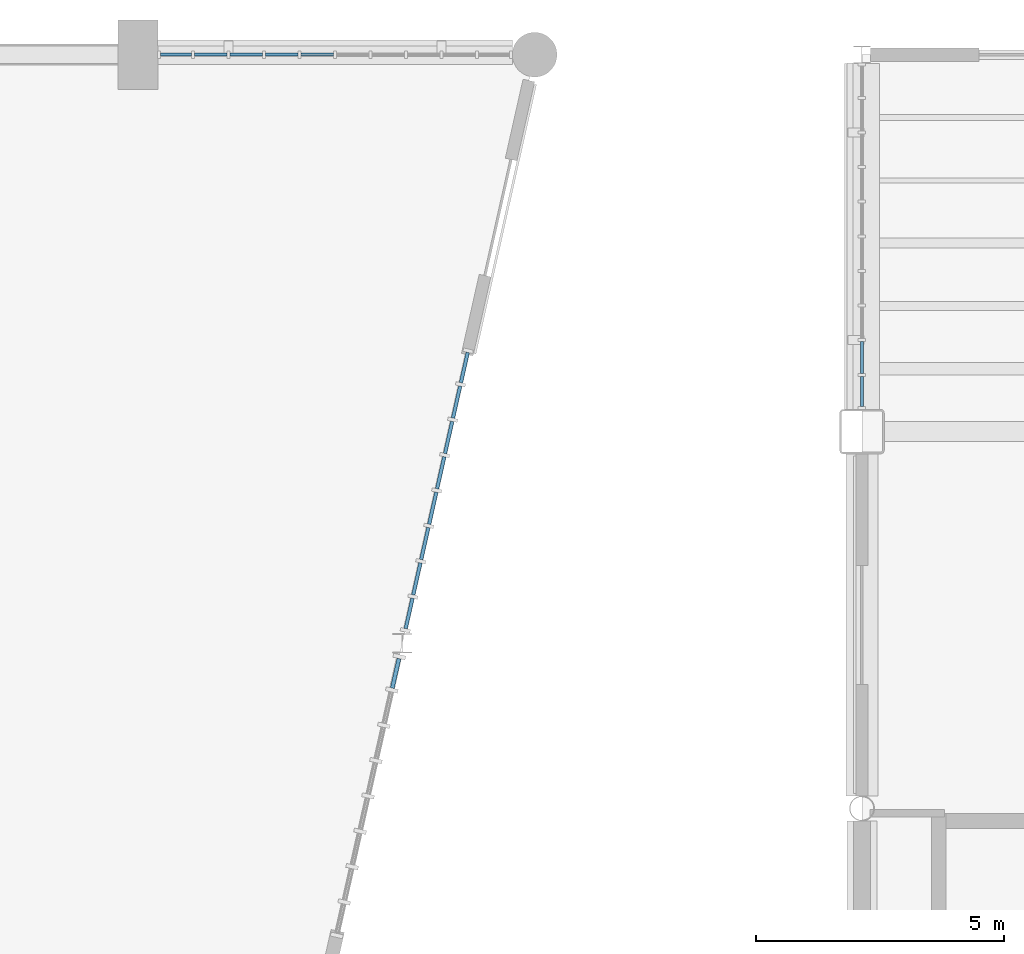
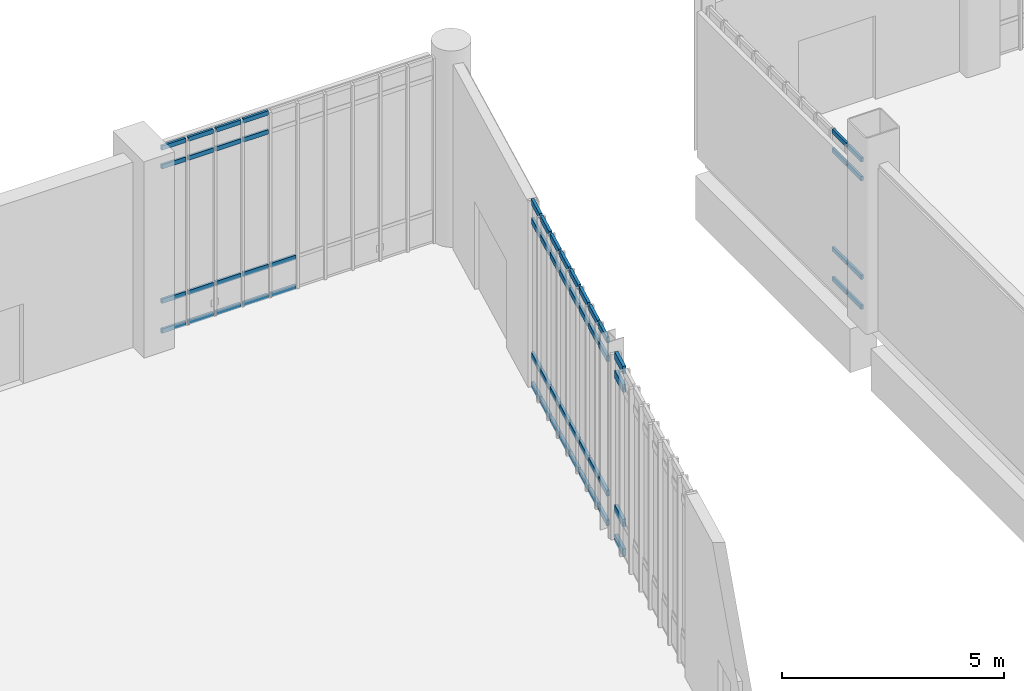
# One storey, part 47 of 111: 62 members, 4 elements without a shape of their own.
"""IFC4 building model written with IfcOpenShell, lengths in metres."""

from ifc_helpers import new_model, si_unit, direction, frame, origin, origin_2d, place, context, subcontext, project, spatial, rectangle, extrude, material, material_profile, profile_set, type_object, element, aggregate, save


model = new_model("IFC4")

# Units and contexts
model_context = context("Model", 3, precision=1e-05, world=origin(), true_north=direction((0.0, 1.0)))
body_context = subcontext(model_context, "Body", "Model", "MODEL_VIEW")
ifc_project = project(units=[si_unit("LENGTHUNIT", "METRE"), si_unit("AREAUNIT", "SQUARE_METRE"), si_unit("VOLUMEUNIT", "CUBIC_METRE"), si_unit("PLANEANGLEUNIT", "RADIAN"), si_unit("MASSUNIT", "GRAM", prefix="KILO")], contexts=[model_context])

# Site, building, storey
site_placement = place(None, origin())
site = spatial("IfcSite", under=ifc_project, at=site_placement, CompositionType="ELEMENT")
building_placement = place(site_placement, origin())
building = spatial("IfcBuilding", under=site, at=building_placement, Name="Larkvane Passage Sports Hall", CompositionType="ELEMENT")
storey_placement = place(building_placement, origin())
storey = spatial("IfcBuildingStorey", under=building, at=storey_placement, Name="L00", CompositionType="ELEMENT", Elevation=0.0)

# Curtain wall, members
ifc_material_1 = material(Name="Thermally broken aluminium and low-E glazing", Category="aluminium")
curtain_wall_type_1 = type_object("IfcCurtainWallType", Name="CW-UNIT-COURT", PredefinedType="USERDEFINED", material=ifc_material_1)
curtain_wall_1_placement = place(storey_placement, origin())
curtain_wall_1 = element("IfcCurtainWall", 1, at=curtain_wall_1_placement, inside=storey, type_object=curtain_wall_type_1, Name="Curtain wall CW5-L00-012", ObjectType="UNITISED CURTAIN WALL", PredefinedType="USERDEFINED")
ifc_material_2 = material(Name="Anodised aluminium 6063-T6", Category="aluminium")
ifc_material_profile_1 = material_profile(ifc_material_2, rectangle(XDim=0.06005859375, YDim=0.1201171875, at=origin_2d()), Name="ALU-TRN-60x120")
ifc_profile_set_1 = profile_set([ifc_material_profile_1], Name="Anodised aluminium 6063-T6")
member_type_1 = type_object("IfcMemberType", Name="CW-TRN-60x120", PredefinedType="USERDEFINED", material=ifc_profile_set_1)
member_1_placement = place(storey_placement, frame((110.4560546875, 99.199951171875, 0.030029296875), z_axis=(1.0, 0.0, 0.0), x_axis=(0.0, 1.0, 0.0)))
member_1 = element("IfcMember", 2, at=member_1_placement, type_object=member_type_1, Name="CW-01 transom 1.1", ObjectType="TRANSOM", PredefinedType="USERDEFINED", context=body_context, shape_type="SweptSolid", body=[
    extrude(rectangle(XDim=0.06005859375, YDim=0.1201171875, at=origin_2d()), origin(), (0.0, 0.0, 1.0), 0.625732421875),
])
member_2_placement = place(storey_placement, frame((110.4560546875, 99.199951171875, 0.85009765625), z_axis=(1.0, 0.0, 0.0), x_axis=(0.0, 1.0, 0.0)))
member_2 = element("IfcMember", 3, at=member_2_placement, type_object=member_type_1, Name="CW-01 transom 1.2", ObjectType="TRANSOM", PredefinedType="USERDEFINED", context=body_context, shape_type="SweptSolid", body=[
    extrude(rectangle(XDim=0.06005859375, YDim=0.1201171875, at=origin_2d()), origin(), (0.0, 0.0, 1.0), 0.625732421875),
])
member_3_placement = place(storey_placement, frame((110.4560546875, 99.199951171875, 4.550048828125), z_axis=(1.0, 0.0, 0.0), x_axis=(0.0, 1.0, 0.0)))
member_3 = element("IfcMember", 4, at=member_3_placement, type_object=member_type_1, Name="CW-01 transom 1.3", ObjectType="TRANSOM", PredefinedType="USERDEFINED", context=body_context, shape_type="SweptSolid", body=[
    extrude(rectangle(XDim=0.06005859375, YDim=0.1201171875, at=origin_2d()), origin(), (0.0, 0.0, 1.0), 0.625732421875),
])
member_4_placement = place(storey_placement, frame((110.4560546875, 99.199951171875, 5.070068359375), z_axis=(1.0, 0.0, 0.0), x_axis=(0.0, 1.0, 0.0)))
member_4 = element("IfcMember", 5, at=member_4_placement, type_object=member_type_1, Name="CW-01 transom 1.4", ObjectType="TRANSOM", PredefinedType="USERDEFINED", context=body_context, shape_type="SweptSolid", body=[
    extrude(rectangle(XDim=0.06005859375, YDim=0.1201171875, at=origin_2d()), origin(), (0.0, 0.0, 1.0), 0.625732421875),
])
member_5_placement = place(storey_placement, frame((111.141845703125, 99.199951171875, 0.030029296875), z_axis=(1.0, 0.0, 0.0), x_axis=(0.0, 1.0, 0.0)))
member_5 = element("IfcMember", 6, at=member_5_placement, type_object=member_type_1, Name="CW-01 transom 2.1", ObjectType="TRANSOM", PredefinedType="USERDEFINED", context=body_context, shape_type="SweptSolid", body=[
    extrude(rectangle(XDim=0.06005859375, YDim=0.1201171875, at=origin_2d()), origin(), (0.0, 0.0, 1.0), 0.65576171875),
])
member_6_placement = place(storey_placement, frame((111.141845703125, 99.199951171875, 0.85009765625), z_axis=(1.0, 0.0, 0.0), x_axis=(0.0, 1.0, 0.0)))
member_6 = element("IfcMember", 7, at=member_6_placement, type_object=member_type_1, Name="CW-01 transom 2.2", ObjectType="TRANSOM", PredefinedType="USERDEFINED", context=body_context, shape_type="SweptSolid", body=[
    extrude(rectangle(XDim=0.06005859375, YDim=0.1201171875, at=origin_2d()), origin(), (0.0, 0.0, 1.0), 0.65576171875),
])
member_7_placement = place(storey_placement, frame((111.141845703125, 99.199951171875, 4.550048828125), z_axis=(1.0, 0.0, 0.0), x_axis=(0.0, 1.0, 0.0)))
member_7 = element("IfcMember", 8, at=member_7_placement, type_object=member_type_1, Name="CW-01 transom 2.3", ObjectType="TRANSOM", PredefinedType="USERDEFINED", context=body_context, shape_type="SweptSolid", body=[
    extrude(rectangle(XDim=0.06005859375, YDim=0.1201171875, at=origin_2d()), origin(), (0.0, 0.0, 1.0), 0.65576171875),
])
member_8_placement = place(storey_placement, frame((111.141845703125, 99.199951171875, 5.070068359375), z_axis=(1.0, 0.0, 0.0), x_axis=(0.0, 1.0, 0.0)))
member_8 = element("IfcMember", 9, at=member_8_placement, type_object=member_type_1, Name="CW-01 transom 2.4", ObjectType="TRANSOM", PredefinedType="USERDEFINED", context=body_context, shape_type="SweptSolid", body=[
    extrude(rectangle(XDim=0.06005859375, YDim=0.1201171875, at=origin_2d()), origin(), (0.0, 0.0, 1.0), 0.65576171875),
])
member_9_placement = place(storey_placement, frame((111.857666015625, 99.199951171875, 0.030029296875), z_axis=(1.0, 0.0, 0.0), x_axis=(0.0, 1.0, 0.0)))
member_9 = element("IfcMember", 10, at=member_9_placement, type_object=member_type_1, Name="CW-01 transom 3.1", ObjectType="TRANSOM", PredefinedType="USERDEFINED", context=body_context, shape_type="SweptSolid", body=[
    extrude(rectangle(XDim=0.06005859375, YDim=0.1201171875, at=origin_2d()), origin(), (0.0, 0.0, 1.0), 0.65576171875),
])
member_10_placement = place(storey_placement, frame((111.857666015625, 99.199951171875, 0.85009765625), z_axis=(1.0, 0.0, 0.0), x_axis=(0.0, 1.0, 0.0)))
member_10 = element("IfcMember", 11, at=member_10_placement, type_object=member_type_1, Name="CW-01 transom 3.2", ObjectType="TRANSOM", PredefinedType="USERDEFINED", context=body_context, shape_type="SweptSolid", body=[
    extrude(rectangle(XDim=0.06005859375, YDim=0.1201171875, at=origin_2d()), origin(), (0.0, 0.0, 1.0), 0.65576171875),
])
member_11_placement = place(storey_placement, frame((111.857666015625, 99.199951171875, 4.550048828125), z_axis=(1.0, 0.0, 0.0), x_axis=(0.0, 1.0, 0.0)))
member_11 = element("IfcMember", 12, at=member_11_placement, type_object=member_type_1, Name="CW-01 transom 3.3", ObjectType="TRANSOM", PredefinedType="USERDEFINED", context=body_context, shape_type="SweptSolid", body=[
    extrude(rectangle(XDim=0.06005859375, YDim=0.1201171875, at=origin_2d()), origin(), (0.0, 0.0, 1.0), 0.65576171875),
])
member_12_placement = place(storey_placement, frame((111.857666015625, 99.199951171875, 5.070068359375), z_axis=(1.0, 0.0, 0.0), x_axis=(0.0, 1.0, 0.0)))
member_12 = element("IfcMember", 13, at=member_12_placement, type_object=member_type_1, Name="CW-01 transom 3.4", ObjectType="TRANSOM", PredefinedType="USERDEFINED", context=body_context, shape_type="SweptSolid", body=[
    extrude(rectangle(XDim=0.06005859375, YDim=0.1201171875, at=origin_2d()), origin(), (0.0, 0.0, 1.0), 0.65576171875),
])
member_13_placement = place(storey_placement, frame((112.573486328125, 99.199951171875, 0.030029296875), z_axis=(1.0, 0.0, 0.0), x_axis=(0.0, 1.0, 0.0)))
member_13 = element("IfcMember", 14, at=member_13_placement, type_object=member_type_1, Name="CW-01 transom 4.1", ObjectType="TRANSOM", PredefinedType="USERDEFINED", context=body_context, shape_type="SweptSolid", body=[
    extrude(rectangle(XDim=0.06005859375, YDim=0.1201171875, at=origin_2d()), origin(), (0.0, 0.0, 1.0), 0.65576171875),
])
member_14_placement = place(storey_placement, frame((112.573486328125, 99.199951171875, 0.85009765625), z_axis=(1.0, 0.0, 0.0), x_axis=(0.0, 1.0, 0.0)))
member_14 = element("IfcMember", 15, at=member_14_placement, type_object=member_type_1, Name="CW-01 transom 4.2", ObjectType="TRANSOM", PredefinedType="USERDEFINED", context=body_context, shape_type="SweptSolid", body=[
    extrude(rectangle(XDim=0.06005859375, YDim=0.1201171875, at=origin_2d()), origin(), (0.0, 0.0, 1.0), 0.65576171875),
])
member_15_placement = place(storey_placement, frame((112.573486328125, 99.199951171875, 4.550048828125), z_axis=(1.0, 0.0, 0.0), x_axis=(0.0, 1.0, 0.0)))
member_15 = element("IfcMember", 16, at=member_15_placement, type_object=member_type_1, Name="CW-01 transom 4.3", ObjectType="TRANSOM", PredefinedType="USERDEFINED", context=body_context, shape_type="SweptSolid", body=[
    extrude(rectangle(XDim=0.06005859375, YDim=0.1201171875, at=origin_2d()), origin(), (0.0, 0.0, 1.0), 0.65576171875),
])
member_16_placement = place(storey_placement, frame((112.573486328125, 99.199951171875, 5.070068359375), z_axis=(1.0, 0.0, 0.0), x_axis=(0.0, 1.0, 0.0)))
member_16 = element("IfcMember", 17, at=member_16_placement, type_object=member_type_1, Name="CW-01 transom 4.4", ObjectType="TRANSOM", PredefinedType="USERDEFINED", context=body_context, shape_type="SweptSolid", body=[
    extrude(rectangle(XDim=0.06005859375, YDim=0.1201171875, at=origin_2d()), origin(), (0.0, 0.0, 1.0), 0.65576171875),
])
member_17_placement = place(storey_placement, frame((113.289306640625, 99.199951171875, 0.030029296875), z_axis=(1.0, 0.0, 0.0), x_axis=(0.0, 1.0, 0.0)))
member_17 = element("IfcMember", 18, at=member_17_placement, type_object=member_type_1, Name="CW-01 transom 5.1", ObjectType="TRANSOM", PredefinedType="USERDEFINED", context=body_context, shape_type="SweptSolid", body=[
    extrude(rectangle(XDim=0.06005859375, YDim=0.1201171875, at=origin_2d()), origin(), (0.0, 0.0, 1.0), 0.65576171875),
])
member_18_placement = place(storey_placement, frame((113.289306640625, 99.199951171875, 0.85009765625), z_axis=(1.0, 0.0, 0.0), x_axis=(0.0, 1.0, 0.0)))
member_18 = element("IfcMember", 19, at=member_18_placement, type_object=member_type_1, Name="CW-01 transom 5.2", ObjectType="TRANSOM", PredefinedType="USERDEFINED", context=body_context, shape_type="SweptSolid", body=[
    extrude(rectangle(XDim=0.06005859375, YDim=0.1201171875, at=origin_2d()), origin(), (0.0, 0.0, 1.0), 0.65576171875),
])
aggregate(curtain_wall_1, [member_1, member_2, member_3, member_4, member_5, member_6, member_7, member_8, member_9, member_10, member_11, member_12, member_13, member_14, member_15, member_16, member_17, member_18])

curtain_wall_2_placement = place(storey_placement, origin())
curtain_wall_2 = element("IfcCurtainWall", 20, at=curtain_wall_2_placement, inside=storey, type_object=curtain_wall_type_1, Name="Curtain wall CW5-L00-020", ObjectType="UNITISED CURTAIN WALL", PredefinedType="USERDEFINED")
member_19_placement = place(storey_placement, frame((124.60009765625, 92.10595703125, 0.030029296875), z_axis=(0.0, 1.0, 0.0), x_axis=(-1.0, 0.0, 0.0)))
member_19 = element("IfcMember", 21, at=member_19_placement, type_object=member_type_1, Name="CW-01 transom 1.1", ObjectType="TRANSOM", PredefinedType="USERDEFINED", context=body_context, shape_type="SweptSolid", body=[
    extrude(rectangle(XDim=0.06005859375, YDim=0.1201171875, at=origin_2d()), origin(), (0.0, 0.0, 1.0), 0.6083984375),
])
member_20_placement = place(storey_placement, frame((124.60009765625, 92.10595703125, 0.85009765625), z_axis=(0.0, 1.0, 0.0), x_axis=(-1.0, 0.0, 0.0)))
member_20 = element("IfcMember", 22, at=member_20_placement, type_object=member_type_1, Name="CW-01 transom 1.2", ObjectType="TRANSOM", PredefinedType="USERDEFINED", context=body_context, shape_type="SweptSolid", body=[
    extrude(rectangle(XDim=0.06005859375, YDim=0.1201171875, at=origin_2d()), origin(), (0.0, 0.0, 1.0), 0.6083984375),
])
member_21_placement = place(storey_placement, frame((124.60009765625, 92.10595703125, 3.568115234375), z_axis=(0.0, 1.0, 0.0), x_axis=(-1.0, 0.0, 0.0)))
member_21 = element("IfcMember", 23, at=member_21_placement, type_object=member_type_1, Name="CW-01 transom 1.3", ObjectType="TRANSOM", PredefinedType="USERDEFINED", context=body_context, shape_type="SweptSolid", body=[
    extrude(rectangle(XDim=0.06005859375, YDim=0.1201171875, at=origin_2d()), origin(), (0.0, 0.0, 1.0), 0.6083984375),
])
member_22_placement = place(storey_placement, frame((124.60009765625, 92.10595703125, 4.087890625), z_axis=(0.0, 1.0, 0.0), x_axis=(-1.0, 0.0, 0.0)))
member_22 = element("IfcMember", 24, at=member_22_placement, type_object=member_type_1, Name="CW-01 transom 1.4", ObjectType="TRANSOM", PredefinedType="USERDEFINED", context=body_context, shape_type="SweptSolid", body=[
    extrude(rectangle(XDim=0.06005859375, YDim=0.1201171875, at=origin_2d()), origin(), (0.0, 0.0, 1.0), 0.6083984375),
])
member_23_placement = place(storey_placement, frame((124.60009765625, 92.7744140625, 0.030029296875), z_axis=(0.0, 1.0, 0.0), x_axis=(-1.0, 0.0, 0.0)))
member_23 = element("IfcMember", 25, at=member_23_placement, type_object=member_type_1, Name="CW-01 transom 2.1", ObjectType="TRANSOM", PredefinedType="USERDEFINED", context=body_context, shape_type="SweptSolid", body=[
    extrude(rectangle(XDim=0.06005859375, YDim=0.1201171875, at=origin_2d()), origin(), (0.0, 0.0, 1.0), 0.63818359375),
])
member_24_placement = place(storey_placement, frame((124.60009765625, 92.7744140625, 0.85009765625), z_axis=(0.0, 1.0, 0.0), x_axis=(-1.0, 0.0, 0.0)))
member_24 = element("IfcMember", 26, at=member_24_placement, type_object=member_type_1, Name="CW-01 transom 2.2", ObjectType="TRANSOM", PredefinedType="USERDEFINED", context=body_context, shape_type="SweptSolid", body=[
    extrude(rectangle(XDim=0.06005859375, YDim=0.1201171875, at=origin_2d()), origin(), (0.0, 0.0, 1.0), 0.63818359375),
])
member_25_placement = place(storey_placement, frame((124.60009765625, 92.7744140625, 3.568115234375), z_axis=(0.0, 1.0, 0.0), x_axis=(-1.0, 0.0, 0.0)))
member_25 = element("IfcMember", 27, at=member_25_placement, type_object=member_type_1, Name="CW-01 transom 2.3", ObjectType="TRANSOM", PredefinedType="USERDEFINED", context=body_context, shape_type="SweptSolid", body=[
    extrude(rectangle(XDim=0.06005859375, YDim=0.1201171875, at=origin_2d()), origin(), (0.0, 0.0, 1.0), 0.63818359375),
])
member_26_placement = place(storey_placement, frame((124.60009765625, 92.7744140625, 4.087890625), z_axis=(0.0, 1.0, 0.0), x_axis=(-1.0, 0.0, 0.0)))
member_26 = element("IfcMember", 28, at=member_26_placement, type_object=member_type_1, Name="CW-01 transom 2.4", ObjectType="TRANSOM", PredefinedType="USERDEFINED", context=body_context, shape_type="SweptSolid", body=[
    extrude(rectangle(XDim=0.06005859375, YDim=0.1201171875, at=origin_2d()), origin(), (0.0, 0.0, 1.0), 0.63818359375),
])
aggregate(curtain_wall_2, [member_19, member_20, member_21, member_22, member_23, member_24, member_25, member_26])

curtain_wall_type_2 = type_object("IfcCurtainWallType", Name="CW-UNIT-VEIL", PredefinedType="USERDEFINED", material=ifc_material_1)
curtain_wall_3_placement = place(storey_placement, origin())
curtain_wall_3 = element("IfcCurtainWall", 29, at=curtain_wall_3_placement, inside=storey, type_object=curtain_wall_type_2, Name="Curtain wall CW5-L00-013", ObjectType="UNITISED CURTAIN WALL", PredefinedType="USERDEFINED")
ifc_material_profile_2 = material_profile(ifc_material_2, rectangle(XDim=0.070068359375, YDim=0.159912109375, at=origin_2d()), Name="ALU-TRN-70x160")
ifc_profile_set_2 = profile_set([ifc_material_profile_2], Name="Anodised aluminium 6063-T6")
member_type_2 = type_object("IfcMemberType", Name="CW-TRN-70x160", PredefinedType="USERDEFINED", material=ifc_profile_set_2)
member_27_placement = place(storey_placement, frame((116.65087890625, 93.1962890625, 0.034912109375), z_axis=(-0.219242983908, -0.975670289599, 0.0), x_axis=(0.975670289599, -0.219242983908, 0.0)))
member_27 = element("IfcMember", 30, at=member_27_placement, type_object=member_type_2, Name="CW-02 transom 1.1", ObjectType="TRANSOM", PredefinedType="USERDEFINED", context=body_context, shape_type="SweptSolid", body=[
    extrude(rectangle(XDim=0.070068359375, YDim=0.159912109375, at=origin_2d()), origin(), (0.0, 0.0, 1.0), 0.625732421875),
])
member_28_placement = place(storey_placement, frame((116.65087890625, 93.1962890625, 0.85009765625), z_axis=(-0.219242983908, -0.975670289599, 0.0), x_axis=(0.975670289599, -0.219242983908, 0.0)))
member_28 = element("IfcMember", 31, at=member_28_placement, type_object=member_type_2, Name="CW-02 transom 1.2", ObjectType="TRANSOM", PredefinedType="USERDEFINED", context=body_context, shape_type="SweptSolid", body=[
    extrude(rectangle(XDim=0.070068359375, YDim=0.159912109375, at=origin_2d()), origin(), (0.0, 0.0, 1.0), 0.625732421875),
])
member_29_placement = place(storey_placement, frame((116.65087890625, 93.1962890625, 4.550048828125), z_axis=(-0.219242983908, -0.975670289599, 0.0), x_axis=(0.975670289599, -0.219242983908, 0.0)))
member_29 = element("IfcMember", 32, at=member_29_placement, type_object=member_type_2, Name="CW-02 transom 1.3", ObjectType="TRANSOM", PredefinedType="USERDEFINED", context=body_context, shape_type="SweptSolid", body=[
    extrude(rectangle(XDim=0.070068359375, YDim=0.159912109375, at=origin_2d()), origin(), (0.0, 0.0, 1.0), 0.625732421875),
])
member_30_placement = place(storey_placement, frame((116.65087890625, 93.1962890625, 5.06494140625), z_axis=(-0.219242983908, -0.975670289599, 0.0), x_axis=(0.975670289599, -0.219242983908, 0.0)))
member_30 = element("IfcMember", 33, at=member_30_placement, type_object=member_type_2, Name="CW-02 transom 1.4", ObjectType="TRANSOM", PredefinedType="USERDEFINED", context=body_context, shape_type="SweptSolid", body=[
    extrude(rectangle(XDim=0.070068359375, YDim=0.159912109375, at=origin_2d()), origin(), (0.0, 0.0, 1.0), 0.625732421875),
])
member_31_placement = place(storey_placement, frame((116.498291015625, 92.517333984375, 0.034912109375), z_axis=(-0.219354022301, -0.975645331512, 0.0), x_axis=(0.975645331512, -0.219354022301, 0.0)))
member_31 = element("IfcMember", 34, at=member_31_placement, type_object=member_type_2, Name="CW-02 transom 2.1", ObjectType="TRANSOM", PredefinedType="USERDEFINED", context=body_context, shape_type="SweptSolid", body=[
    extrude(rectangle(XDim=0.070068359375, YDim=0.159912109375, at=origin_2d()), origin(), (0.0, 0.0, 1.0), 0.6611328125),
])
member_32_placement = place(storey_placement, frame((116.498291015625, 92.517333984375, 0.85009765625), z_axis=(-0.219354022301, -0.975645331512, 0.0), x_axis=(0.975645331512, -0.219354022301, 0.0)))
member_32 = element("IfcMember", 35, at=member_32_placement, type_object=member_type_2, Name="CW-02 transom 2.2", ObjectType="TRANSOM", PredefinedType="USERDEFINED", context=body_context, shape_type="SweptSolid", body=[
    extrude(rectangle(XDim=0.070068359375, YDim=0.159912109375, at=origin_2d()), origin(), (0.0, 0.0, 1.0), 0.6611328125),
])
member_33_placement = place(storey_placement, frame((116.498291015625, 92.517333984375, 4.550048828125), z_axis=(-0.219354022301, -0.975645331512, 0.0), x_axis=(0.975645331512, -0.219354022301, 0.0)))
member_33 = element("IfcMember", 36, at=member_33_placement, type_object=member_type_2, Name="CW-02 transom 2.3", ObjectType="TRANSOM", PredefinedType="USERDEFINED", context=body_context, shape_type="SweptSolid", body=[
    extrude(rectangle(XDim=0.070068359375, YDim=0.159912109375, at=origin_2d()), origin(), (0.0, 0.0, 1.0), 0.6611328125),
])
member_34_placement = place(storey_placement, frame((116.498291015625, 92.517333984375, 5.06494140625), z_axis=(-0.219354022301, -0.975645331512, 0.0), x_axis=(0.975645331512, -0.219354022301, 0.0)))
member_34 = element("IfcMember", 37, at=member_34_placement, type_object=member_type_2, Name="CW-02 transom 2.4", ObjectType="TRANSOM", PredefinedType="USERDEFINED", context=body_context, shape_type="SweptSolid", body=[
    extrude(rectangle(XDim=0.070068359375, YDim=0.159912109375, at=origin_2d()), origin(), (0.0, 0.0, 1.0), 0.6611328125),
])
member_35_placement = place(storey_placement, frame((116.337890625, 91.803955078125, 0.034912109375), z_axis=(-0.219081409932, -0.975706582853, 0.0), x_axis=(0.975706582853, -0.219081409932, 0.0)))
member_35 = element("IfcMember", 38, at=member_35_placement, type_object=member_type_2, Name="CW-02 transom 3.1", ObjectType="TRANSOM", PredefinedType="USERDEFINED", context=body_context, shape_type="SweptSolid", body=[
    extrude(rectangle(XDim=0.070068359375, YDim=0.159912109375, at=origin_2d()), origin(), (0.0, 0.0, 1.0), 0.660888671875),
])
member_36_placement = place(storey_placement, frame((116.337890625, 91.803955078125, 0.85009765625), z_axis=(-0.219081409932, -0.975706582853, 0.0), x_axis=(0.975706582853, -0.219081409932, 0.0)))
member_36 = element("IfcMember", 39, at=member_36_placement, type_object=member_type_2, Name="CW-02 transom 3.2", ObjectType="TRANSOM", PredefinedType="USERDEFINED", context=body_context, shape_type="SweptSolid", body=[
    extrude(rectangle(XDim=0.070068359375, YDim=0.159912109375, at=origin_2d()), origin(), (0.0, 0.0, 1.0), 0.660888671875),
])
member_37_placement = place(storey_placement, frame((116.337890625, 91.803955078125, 4.550048828125), z_axis=(-0.219081409932, -0.975706582853, 0.0), x_axis=(0.975706582853, -0.219081409932, 0.0)))
member_37 = element("IfcMember", 40, at=member_37_placement, type_object=member_type_2, Name="CW-02 transom 3.3", ObjectType="TRANSOM", PredefinedType="USERDEFINED", context=body_context, shape_type="SweptSolid", body=[
    extrude(rectangle(XDim=0.070068359375, YDim=0.159912109375, at=origin_2d()), origin(), (0.0, 0.0, 1.0), 0.660888671875),
])
member_38_placement = place(storey_placement, frame((116.337890625, 91.803955078125, 5.06494140625), z_axis=(-0.219081409932, -0.975706582853, 0.0), x_axis=(0.975706582853, -0.219081409932, 0.0)))
member_38 = element("IfcMember", 41, at=member_38_placement, type_object=member_type_2, Name="CW-02 transom 3.4", ObjectType="TRANSOM", PredefinedType="USERDEFINED", context=body_context, shape_type="SweptSolid", body=[
    extrude(rectangle(XDim=0.070068359375, YDim=0.159912109375, at=origin_2d()), origin(), (0.0, 0.0, 1.0), 0.660888671875),
])
member_39_placement = place(storey_placement, frame((116.177734375, 91.0908203125, 0.034912109375), z_axis=(-0.219354022301, -0.975645331512, 0.0), x_axis=(0.975645331512, -0.219354022301, 0.0)))
member_39 = element("IfcMember", 42, at=member_39_placement, type_object=member_type_2, Name="CW-02 transom 4.1", ObjectType="TRANSOM", PredefinedType="USERDEFINED", context=body_context, shape_type="SweptSolid", body=[
    extrude(rectangle(XDim=0.070068359375, YDim=0.159912109375, at=origin_2d()), origin(), (0.0, 0.0, 1.0), 0.6611328125),
])
member_40_placement = place(storey_placement, frame((116.177734375, 91.0908203125, 0.85009765625), z_axis=(-0.219354022301, -0.975645331512, 0.0), x_axis=(0.975645331512, -0.219354022301, 0.0)))
member_40 = element("IfcMember", 43, at=member_40_placement, type_object=member_type_2, Name="CW-02 transom 4.2", ObjectType="TRANSOM", PredefinedType="USERDEFINED", context=body_context, shape_type="SweptSolid", body=[
    extrude(rectangle(XDim=0.070068359375, YDim=0.159912109375, at=origin_2d()), origin(), (0.0, 0.0, 1.0), 0.6611328125),
])
member_41_placement = place(storey_placement, frame((116.177734375, 91.0908203125, 4.550048828125), z_axis=(-0.219354022301, -0.975645331512, 0.0), x_axis=(0.975645331512, -0.219354022301, 0.0)))
member_41 = element("IfcMember", 44, at=member_41_placement, type_object=member_type_2, Name="CW-02 transom 4.3", ObjectType="TRANSOM", PredefinedType="USERDEFINED", context=body_context, shape_type="SweptSolid", body=[
    extrude(rectangle(XDim=0.070068359375, YDim=0.159912109375, at=origin_2d()), origin(), (0.0, 0.0, 1.0), 0.6611328125),
])
member_42_placement = place(storey_placement, frame((116.177734375, 91.0908203125, 5.06494140625), z_axis=(-0.219354022301, -0.975645331512, 0.0), x_axis=(0.975645331512, -0.219354022301, 0.0)))
member_42 = element("IfcMember", 45, at=member_42_placement, type_object=member_type_2, Name="CW-02 transom 4.4", ObjectType="TRANSOM", PredefinedType="USERDEFINED", context=body_context, shape_type="SweptSolid", body=[
    extrude(rectangle(XDim=0.070068359375, YDim=0.159912109375, at=origin_2d()), origin(), (0.0, 0.0, 1.0), 0.6611328125),
])
member_43_placement = place(storey_placement, frame((116.017333984375, 90.37744140625, 0.034912109375), z_axis=(-0.219081409932, -0.975706582853, 0.0), x_axis=(0.975706582853, -0.219081409932, 0.0)))
member_43 = element("IfcMember", 46, at=member_43_placement, type_object=member_type_2, Name="CW-02 transom 5.1", ObjectType="TRANSOM", PredefinedType="USERDEFINED", context=body_context, shape_type="SweptSolid", body=[
    extrude(rectangle(XDim=0.070068359375, YDim=0.159912109375, at=origin_2d()), origin(), (0.0, 0.0, 1.0), 0.660888671875),
])
member_44_placement = place(storey_placement, frame((116.017333984375, 90.37744140625, 0.85009765625), z_axis=(-0.219081409932, -0.975706582853, 0.0), x_axis=(0.975706582853, -0.219081409932, 0.0)))
member_44 = element("IfcMember", 47, at=member_44_placement, type_object=member_type_2, Name="CW-02 transom 5.2", ObjectType="TRANSOM", PredefinedType="USERDEFINED", context=body_context, shape_type="SweptSolid", body=[
    extrude(rectangle(XDim=0.070068359375, YDim=0.159912109375, at=origin_2d()), origin(), (0.0, 0.0, 1.0), 0.660888671875),
])
member_45_placement = place(storey_placement, frame((116.017333984375, 90.37744140625, 4.550048828125), z_axis=(-0.219081409932, -0.975706582853, 0.0), x_axis=(0.975706582853, -0.219081409932, 0.0)))
member_45 = element("IfcMember", 48, at=member_45_placement, type_object=member_type_2, Name="CW-02 transom 5.3", ObjectType="TRANSOM", PredefinedType="USERDEFINED", context=body_context, shape_type="SweptSolid", body=[
    extrude(rectangle(XDim=0.070068359375, YDim=0.159912109375, at=origin_2d()), origin(), (0.0, 0.0, 1.0), 0.660888671875),
])
member_46_placement = place(storey_placement, frame((116.017333984375, 90.37744140625, 5.06494140625), z_axis=(-0.219081409932, -0.975706582853, 0.0), x_axis=(0.975706582853, -0.219081409932, 0.0)))
member_46 = element("IfcMember", 49, at=member_46_placement, type_object=member_type_2, Name="CW-02 transom 5.4", ObjectType="TRANSOM", PredefinedType="USERDEFINED", context=body_context, shape_type="SweptSolid", body=[
    extrude(rectangle(XDim=0.070068359375, YDim=0.159912109375, at=origin_2d()), origin(), (0.0, 0.0, 1.0), 0.660888671875),
])
member_47_placement = place(storey_placement, frame((115.857177734375, 89.664306640625, 0.034912109375), z_axis=(-0.219354022301, -0.975645331512, 0.0), x_axis=(0.975645331512, -0.219354022301, 0.0)))
member_47 = element("IfcMember", 50, at=member_47_placement, type_object=member_type_2, Name="CW-02 transom 6.1", ObjectType="TRANSOM", PredefinedType="USERDEFINED", context=body_context, shape_type="SweptSolid", body=[
    extrude(rectangle(XDim=0.070068359375, YDim=0.159912109375, at=origin_2d()), origin(), (0.0, 0.0, 1.0), 0.6611328125),
])
member_48_placement = place(storey_placement, frame((115.857177734375, 89.664306640625, 0.85009765625), z_axis=(-0.219354022301, -0.975645331512, 0.0), x_axis=(0.975645331512, -0.219354022301, 0.0)))
member_48 = element("IfcMember", 51, at=member_48_placement, type_object=member_type_2, Name="CW-02 transom 6.2", ObjectType="TRANSOM", PredefinedType="USERDEFINED", context=body_context, shape_type="SweptSolid", body=[
    extrude(rectangle(XDim=0.070068359375, YDim=0.159912109375, at=origin_2d()), origin(), (0.0, 0.0, 1.0), 0.6611328125),
])
member_49_placement = place(storey_placement, frame((115.857177734375, 89.664306640625, 4.550048828125), z_axis=(-0.219354022301, -0.975645331512, 0.0), x_axis=(0.975645331512, -0.219354022301, 0.0)))
member_49 = element("IfcMember", 52, at=member_49_placement, type_object=member_type_2, Name="CW-02 transom 6.3", ObjectType="TRANSOM", PredefinedType="USERDEFINED", context=body_context, shape_type="SweptSolid", body=[
    extrude(rectangle(XDim=0.070068359375, YDim=0.159912109375, at=origin_2d()), origin(), (0.0, 0.0, 1.0), 0.6611328125),
])
member_50_placement = place(storey_placement, frame((115.857177734375, 89.664306640625, 5.06494140625), z_axis=(-0.219354022301, -0.975645331512, 0.0), x_axis=(0.975645331512, -0.219354022301, 0.0)))
member_50 = element("IfcMember", 53, at=member_50_placement, type_object=member_type_2, Name="CW-02 transom 6.4", ObjectType="TRANSOM", PredefinedType="USERDEFINED", context=body_context, shape_type="SweptSolid", body=[
    extrude(rectangle(XDim=0.070068359375, YDim=0.159912109375, at=origin_2d()), origin(), (0.0, 0.0, 1.0), 0.6611328125),
])
member_51_placement = place(storey_placement, frame((115.69677734375, 88.951171875, 0.034912109375), z_axis=(-0.219002465225, -0.975724305439, 0.0), x_axis=(0.975724305439, -0.219002465225, 0.0)))
member_51 = element("IfcMember", 54, at=member_51_placement, type_object=member_type_2, Name="CW-02 transom 7.1", ObjectType="TRANSOM", PredefinedType="USERDEFINED", context=body_context, shape_type="SweptSolid", body=[
    extrude(rectangle(XDim=0.070068359375, YDim=0.159912109375, at=origin_2d()), origin(), (0.0, 0.0, 1.0), 0.6611328125),
])
member_52_placement = place(storey_placement, frame((115.69677734375, 88.951171875, 0.85009765625), z_axis=(-0.219002465225, -0.975724305439, 0.0), x_axis=(0.975724305439, -0.219002465225, 0.0)))
member_52 = element("IfcMember", 55, at=member_52_placement, type_object=member_type_2, Name="CW-02 transom 7.2", ObjectType="TRANSOM", PredefinedType="USERDEFINED", context=body_context, shape_type="SweptSolid", body=[
    extrude(rectangle(XDim=0.070068359375, YDim=0.159912109375, at=origin_2d()), origin(), (0.0, 0.0, 1.0), 0.6611328125),
])
member_53_placement = place(storey_placement, frame((115.69677734375, 88.951171875, 4.550048828125), z_axis=(-0.219002465225, -0.975724305439, 0.0), x_axis=(0.975724305439, -0.219002465225, 0.0)))
member_53 = element("IfcMember", 56, at=member_53_placement, type_object=member_type_2, Name="CW-02 transom 7.3", ObjectType="TRANSOM", PredefinedType="USERDEFINED", context=body_context, shape_type="SweptSolid", body=[
    extrude(rectangle(XDim=0.070068359375, YDim=0.159912109375, at=origin_2d()), origin(), (0.0, 0.0, 1.0), 0.6611328125),
])
member_54_placement = place(storey_placement, frame((115.69677734375, 88.951171875, 5.06494140625), z_axis=(-0.219002465225, -0.975724305439, 0.0), x_axis=(0.975724305439, -0.219002465225, 0.0)))
member_54 = element("IfcMember", 57, at=member_54_placement, type_object=member_type_2, Name="CW-02 transom 7.4", ObjectType="TRANSOM", PredefinedType="USERDEFINED", context=body_context, shape_type="SweptSolid", body=[
    extrude(rectangle(XDim=0.070068359375, YDim=0.159912109375, at=origin_2d()), origin(), (0.0, 0.0, 1.0), 0.6611328125),
])
member_55_placement = place(storey_placement, frame((115.53662109375, 88.23779296875, 0.034912109375), z_axis=(-0.219159566427, -0.975689030605, 0.0), x_axis=(0.975689030605, -0.219159566427, 0.0)))
member_55 = element("IfcMember", 58, at=member_55_placement, type_object=member_type_2, Name="CW-02 transom 8.1", ObjectType="TRANSOM", PredefinedType="USERDEFINED", context=body_context, shape_type="SweptSolid", body=[
    extrude(rectangle(XDim=0.070068359375, YDim=0.159912109375, at=origin_2d()), origin(), (0.0, 0.0, 1.0), 0.6259765625),
])
member_56_placement = place(storey_placement, frame((115.53662109375, 88.23779296875, 0.85009765625), z_axis=(-0.219159566427, -0.975689030605, 0.0), x_axis=(0.975689030605, -0.219159566427, 0.0)))
member_56 = element("IfcMember", 59, at=member_56_placement, type_object=member_type_2, Name="CW-02 transom 8.2", ObjectType="TRANSOM", PredefinedType="USERDEFINED", context=body_context, shape_type="SweptSolid", body=[
    extrude(rectangle(XDim=0.070068359375, YDim=0.159912109375, at=origin_2d()), origin(), (0.0, 0.0, 1.0), 0.6259765625),
])
member_57_placement = place(storey_placement, frame((115.53662109375, 88.23779296875, 4.550048828125), z_axis=(-0.219159566427, -0.975689030605, 0.0), x_axis=(0.975689030605, -0.219159566427, 0.0)))
member_57 = element("IfcMember", 60, at=member_57_placement, type_object=member_type_2, Name="CW-02 transom 8.3", ObjectType="TRANSOM", PredefinedType="USERDEFINED", context=body_context, shape_type="SweptSolid", body=[
    extrude(rectangle(XDim=0.070068359375, YDim=0.159912109375, at=origin_2d()), origin(), (0.0, 0.0, 1.0), 0.6259765625),
])
member_58_placement = place(storey_placement, frame((115.53662109375, 88.23779296875, 5.06494140625), z_axis=(-0.219159566427, -0.975689030605, 0.0), x_axis=(0.975689030605, -0.219159566427, 0.0)))
member_58 = element("IfcMember", 61, at=member_58_placement, type_object=member_type_2, Name="CW-02 transom 8.4", ObjectType="TRANSOM", PredefinedType="USERDEFINED", context=body_context, shape_type="SweptSolid", body=[
    extrude(rectangle(XDim=0.070068359375, YDim=0.159912109375, at=origin_2d()), origin(), (0.0, 0.0, 1.0), 0.6259765625),
])
aggregate(curtain_wall_3, [member_27, member_28, member_29, member_30, member_31, member_32, member_33, member_34, member_35, member_36, member_37, member_38, member_39, member_40, member_41, member_42, member_43, member_44, member_45, member_46, member_47, member_48, member_49, member_50, member_51, member_52, member_53, member_54, member_55, member_56, member_57, member_58])

curtain_wall_type_3 = type_object("IfcCurtainWallType", Name="CW-STICK-FOYER", PredefinedType="USERDEFINED", material=ifc_material_1)
curtain_wall_4_placement = place(storey_placement, origin())
curtain_wall_4 = element("IfcCurtainWall", 62, at=curtain_wall_4_placement, inside=storey, type_object=curtain_wall_type_3, Name="Curtain wall CW5-L00-014", ObjectType="STICK CURTAIN WALL", PredefinedType="USERDEFINED")
ifc_material_profile_3 = material_profile(ifc_material_2, rectangle(XDim=0.080078125, YDim=0.2099609375, at=origin_2d()), Name="ALU-TRN-80x210")
ifc_profile_set_3 = profile_set([ifc_material_profile_3], Name="Anodised aluminium 6063-T6")
member_type_3 = type_object("IfcMemberType", Name="CW-TRN-80x210", PredefinedType="USERDEFINED", material=ifc_profile_set_3)
member_59_placement = place(storey_placement, frame((115.263427734375, 87.022216796875, 0.0400390625), z_axis=(-0.219217099601, -0.975676105704, 0.0), x_axis=(0.975676105704, -0.219217099601, 0.0)))
member_59 = element("IfcMember", 63, at=member_59_placement, type_object=member_type_3, Name="CW-03 transom 1.1", ObjectType="TRANSOM", PredefinedType="USERDEFINED", context=body_context, shape_type="SweptSolid", body=[
    extrude(rectangle(XDim=0.080078125, YDim=0.2099609375, at=origin_2d()), origin(), (0.0, 0.0, 1.0), 0.6103515625),
])
member_60_placement = place(storey_placement, frame((115.263427734375, 87.022216796875, 0.85009765625), z_axis=(-0.219217099601, -0.975676105704, 0.0), x_axis=(0.975676105704, -0.219217099601, 0.0)))
member_60 = element("IfcMember", 64, at=member_60_placement, type_object=member_type_3, Name="CW-03 transom 1.2", ObjectType="TRANSOM", PredefinedType="USERDEFINED", context=body_context, shape_type="SweptSolid", body=[
    extrude(rectangle(XDim=0.080078125, YDim=0.2099609375, at=origin_2d()), origin(), (0.0, 0.0, 1.0), 0.6103515625),
])
member_61_placement = place(storey_placement, frame((115.263427734375, 87.022216796875, 4.550048828125), z_axis=(-0.219217099601, -0.975676105704, 0.0), x_axis=(0.975676105704, -0.219217099601, 0.0)))
member_61 = element("IfcMember", 65, at=member_61_placement, type_object=member_type_3, Name="CW-03 transom 1.3", ObjectType="TRANSOM", PredefinedType="USERDEFINED", context=body_context, shape_type="SweptSolid", body=[
    extrude(rectangle(XDim=0.080078125, YDim=0.2099609375, at=origin_2d()), origin(), (0.0, 0.0, 1.0), 0.6103515625),
])
member_62_placement = place(storey_placement, frame((115.263427734375, 87.022216796875, 5.06005859375), z_axis=(-0.219217099601, -0.975676105704, 0.0), x_axis=(0.975676105704, -0.219217099601, 0.0)))
member_62 = element("IfcMember", 66, at=member_62_placement, type_object=member_type_3, Name="CW-03 transom 1.4", ObjectType="TRANSOM", PredefinedType="USERDEFINED", context=body_context, shape_type="SweptSolid", body=[
    extrude(rectangle(XDim=0.080078125, YDim=0.2099609375, at=origin_2d()), origin(), (0.0, 0.0, 1.0), 0.6103515625),
])
aggregate(curtain_wall_4, [member_59, member_60, member_61, member_62])

save(model, "model.ifc")
